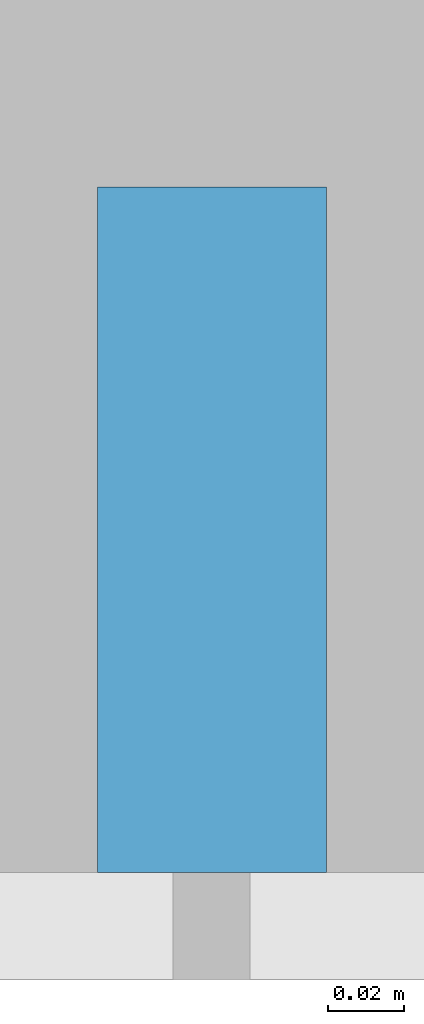
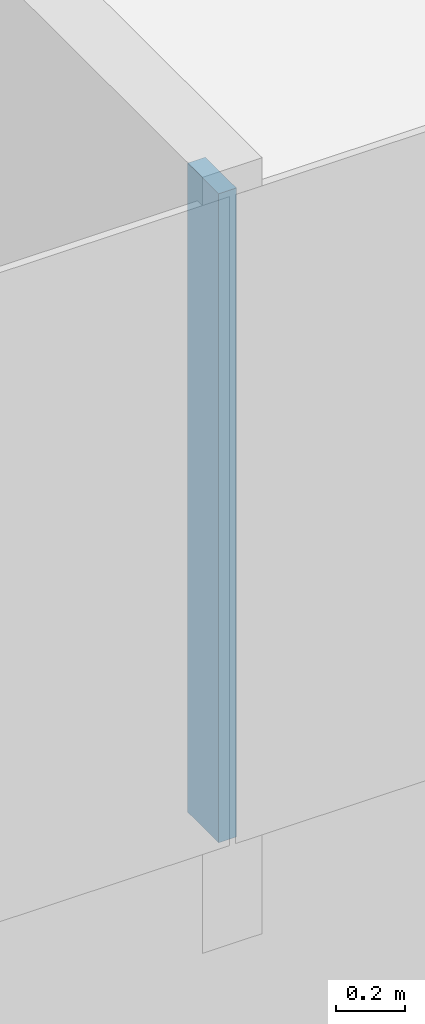
# One storey, part 3 of 26: 1 member, 1 element without a shape of its own.
"""IFC4 building model written with IfcOpenShell, lengths in metres."""

from ifc_helpers import new_model, si_unit, direction, frame, origin, origin_2d, place, context, subcontext, project, spatial, rectangle, extrude, material, layer, layer_set, material_profile, profile_set, type_object, element, aggregate, save


model = new_model("IFC4")

# Units and contexts
model_context = context("Model", 3, precision=1e-05, world=origin(), true_north=direction((0.0, 1.0)))
body_context = subcontext(model_context, "Body", "Model", "MODEL_VIEW")
ifc_project = project(units=[si_unit("LENGTHUNIT", "METRE"), si_unit("AREAUNIT", "SQUARE_METRE"), si_unit("VOLUMEUNIT", "CUBIC_METRE"), si_unit("PLANEANGLEUNIT", "RADIAN"), si_unit("MASSUNIT", "GRAM", prefix="KILO")], contexts=[model_context])

# Site, building, storey
site_placement = place(None, origin())
site = spatial("IfcSite", under=ifc_project, at=site_placement, CompositionType="ELEMENT")
building_placement = place(site_placement, origin())
building = spatial("IfcBuilding", under=site, at=building_placement, Name="Hakoniwa Tower and Hamabe Station Hall", CompositionType="ELEMENT")
storey_placement = place(building_placement, frame((0.0, 0.0, 134.199951171875)))
storey = spatial("IfcBuildingStorey", under=building, at=storey_placement, Name="L37", CompositionType="ELEMENT", Elevation=134.199951171875)

# Curtain wall, member
ifc_material_1 = material(Name="Dark low-e laminated glass", Category="glass")
ifc_layer = layer(ifc_material_1, 0.199951171875)
ifc_layer_set = layer_set([ifc_layer], Name="CW-1 UNITISED GUEST")
curtain_wall_type = type_object("IfcCurtainWallType", Name="CW-1 UNITISED GUEST", PredefinedType="NOTDEFINED", material=ifc_layer_set)
curtain_wall_placement = place(storey_placement, origin())
curtain_wall = element("IfcCurtainWall", 1, at=curtain_wall_placement, inside=storey, type_object=curtain_wall_type, Name="CW-1 curtain wall", PredefinedType="NOTDEFINED")
ifc_material_2 = material(Name="Aluminium 6063-T5 black anodised", Category="aluminium")
ifc_material_profile = material_profile(ifc_material_2, rectangle(XDim=0.06005859375, YDim=0.179931640625, at=origin_2d()), Name="CW-1 MULLION 60X180")
ifc_profile_set = profile_set([ifc_material_profile], Name="Aluminium 6063-T5 black anodised")
member_type = type_object("IfcMemberType", Name="CW-1 MULLION 60X180", PredefinedType="MULLION", material=ifc_profile_set)
member_placement = place(storey_placement, frame((-8.39990234375, -19.181884765625, 0.35009765625), z_axis=(0.0, 0.0, 1.0), x_axis=(1.0, 0.0, 0.0)))
member = element("IfcMember", 2, at=member_placement, type_object=member_type, Name="CW-1 mullion", PredefinedType="MULLION", context=body_context, shape_type="SweptSolid", body=[
    extrude(rectangle(XDim=0.06005859375, YDim=0.179931640625, at=origin_2d()), origin(), (0.0, 0.0, 1.0), 2.300048828125),
])
aggregate(curtain_wall, [member])

save(model, "model.ifc")
